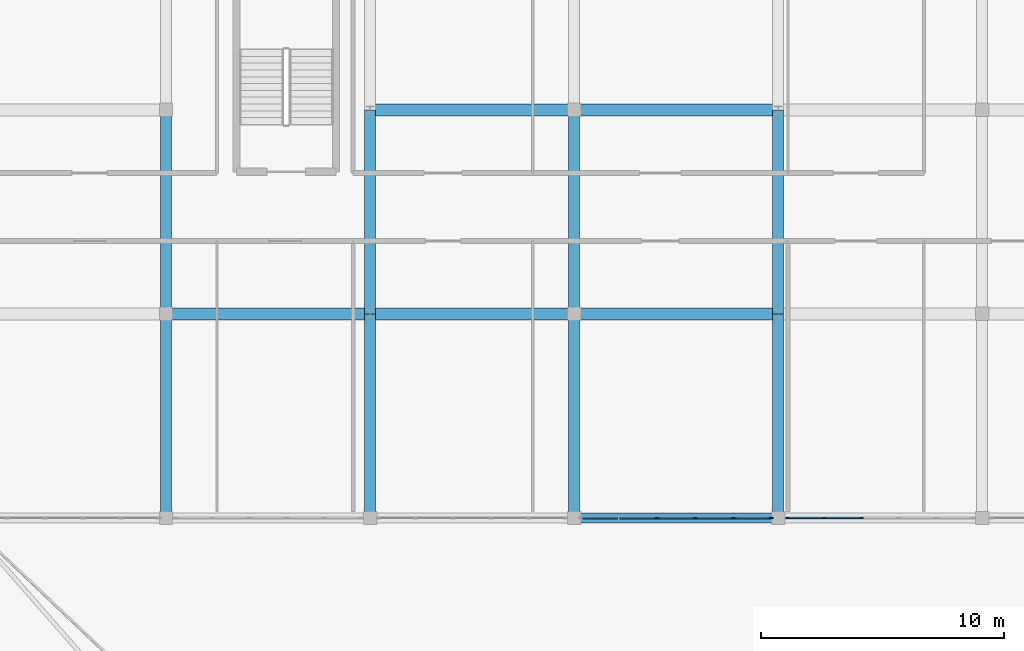
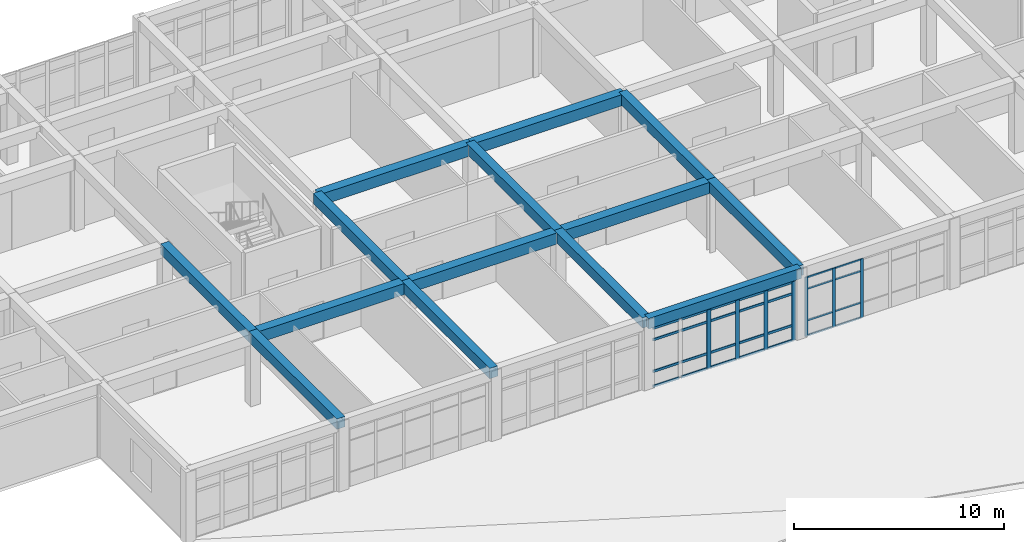
# One storey, part 16 of 77: 35 members, 14 beams, 2 elements without a shape of their own.
"""IFC4 building model written with IfcOpenShell, lengths in metres."""

from ifc_helpers import new_model, si_unit, direction, frame, origin, origin_2d, place, context, subcontext, project, spatial, rectangle, extrude, material, material_profile, profile_set, type_object, element, aggregate, save


model = new_model("IFC4")

# Units and contexts
model_context = context("Model", 3, precision=1e-05, world=origin(), true_north=direction((0.0, 1.0)))
body_context = subcontext(model_context, "Body", "Model", "MODEL_VIEW")
ifc_project = project(units=[si_unit("LENGTHUNIT", "METRE"), si_unit("AREAUNIT", "SQUARE_METRE"), si_unit("VOLUMEUNIT", "CUBIC_METRE"), si_unit("PLANEANGLEUNIT", "RADIAN"), si_unit("MASSUNIT", "GRAM", prefix="KILO")], contexts=[model_context])

# Site, building, storey
site_placement = place(None, origin())
site = spatial("IfcSite", under=ifc_project, at=site_placement, CompositionType="ELEMENT")
building_placement = place(site_placement, origin())
building = spatial("IfcBuilding", under=site, at=building_placement, Name="Varncliffe General Hospital", CompositionType="ELEMENT")
storey_placement = place(building_placement, frame((0.0, 0.0, 16.199951171875)))
storey = spatial("IfcBuildingStorey", under=building, at=storey_placement, Name="L03", CompositionType="ELEMENT", Elevation=16.199951171875)

# Beams
ifc_material_1 = material(Name="Concrete C35/45 (CSA A23.1 35 MPa)", Category="concrete")
ifc_material_profile_1 = material_profile(ifc_material_1, rectangle(XDim=0.5, YDim=0.64990234375, at=origin_2d()), Name="RC 500x650")
ifc_profile_set_1 = profile_set([ifc_material_profile_1], Name="Concrete C35/45 (CSA A23.1 35 MPa)")
beam_type_1 = type_object("IfcBeamType", Name="Beam B29 (Int RC 500x650)", PredefinedType="BEAM", material=ifc_profile_set_1)
beam_1_placement = place(storey_placement, frame((67.199951171875, 82.800048828125, 3.875), z_axis=(1.0, 0.0, 0.0), x_axis=(0.0, 1.0, 0.0)))
element("IfcBeam", 1, at=beam_1_placement, inside=storey, type_object=beam_type_1, Name="L03 Primary Beam B29-73", PredefinedType="BEAM", context=body_context, shape_type="SweptSolid", body=[
    extrude(rectangle(XDim=0.5, YDim=0.64990234375, at=origin_2d()), origin(), (0.0, 0.0, 1.0), 8.400146484375),
])
for number, where, z_axis, x_axis, name in (
    (2, (75.60009765625, 82.800048828125, 3.875), (1.0, 0.0, 0.0), (0.0, 1.0, 0.0), "L03 Primary Beam B29-74"),
    (3, (84.0, 82.800048828125, 3.875), (1.0, 0.0, 0.0), (0.0, 1.0, 0.0), "L03 Primary Beam B29-75"),
    (4, (75.60009765625, 91.199951171875, 3.875), (1.0, 0.0, 0.0), (0.0, 1.0, 0.0), "L03 Primary Beam B29-94"),
    (5, (84.0, 91.199951171875, 3.875), (1.0, 0.0, 0.0), (0.0, 1.0, 0.0), "L03 Primary Beam B29-95"),
):
    element("IfcBeam", number, at=place(storey_placement, frame(where, z_axis=z_axis, x_axis=x_axis)), inside=storey, type_object=beam_type_1, Name=name, PredefinedType="BEAM", context=body_context, shape_type="SweptSolid", body=[
        extrude(rectangle(XDim=0.5, YDim=0.64990234375, at=origin_2d()), origin(), (0.0, 0.0, 1.0), 8.39990234375),
    ])
ifc_material_profile_2 = material_profile(ifc_material_1, rectangle(XDim=0.449951171875, YDim=0.60009765625, at=origin_2d()), Name="RC 450x600")
ifc_profile_set_2 = profile_set([ifc_material_profile_2], Name="Concrete C35/45 (CSA A23.1 35 MPa)")
beam_type_2 = type_object("IfcBeamType", Name="Beam B47 (Int RC 450x600)", PredefinedType="BEAM", material=ifc_profile_set_2)
beam_2_placement = place(storey_placement, frame((67.199951171875, 74.39990234375, 3.900146484375), z_axis=(0.0, 1.0, 0.0), x_axis=(-1.0, 0.0, 0.0)))
element("IfcBeam", 6, at=beam_2_placement, inside=storey, type_object=beam_type_2, Name="L03 Primary Beam B47-290", PredefinedType="BEAM", context=body_context, shape_type="SweptSolid", body=[
    extrude(rectangle(XDim=0.449951171875, YDim=0.60009765625, at=origin_2d()), origin(), (0.0, 0.0, 1.0), 8.400146484375),
])
beam_3_placement = place(storey_placement, frame((67.199951171875, 82.800048828125, 3.900146484375), z_axis=(0.0, 1.0, 0.0), x_axis=(-1.0, 0.0, 0.0)))
element("IfcBeam", 7, at=beam_3_placement, inside=storey, type_object=beam_type_2, Name="L03 Primary Beam B47-291", PredefinedType="BEAM", context=body_context, shape_type="SweptSolid", body=[
    extrude(rectangle(XDim=0.449951171875, YDim=0.60009765625, at=origin_2d()), origin(), (0.0, 0.0, 1.0), 8.39990234375),
])
beam_4_placement = place(storey_placement, frame((75.60009765625, 74.39990234375, 3.900146484375), z_axis=(0.0, 1.0, 0.0), x_axis=(-1.0, 0.0, 0.0)))
element("IfcBeam", 8, at=beam_4_placement, inside=storey, type_object=beam_type_2, Name="L03 Primary Beam B47-298", PredefinedType="BEAM", context=body_context, shape_type="SweptSolid", body=[
    extrude(rectangle(XDim=0.449951171875, YDim=0.60009765625, at=origin_2d()), origin(), (0.0, 0.0, 1.0), 8.400146484375),
])
beam_5_placement = place(storey_placement, frame((75.60009765625, 82.800048828125, 3.900146484375), z_axis=(0.0, 1.0, 0.0), x_axis=(-1.0, 0.0, 0.0)))
element("IfcBeam", 9, at=beam_5_placement, inside=storey, type_object=beam_type_2, Name="L03 Primary Beam B47-299", PredefinedType="BEAM", context=body_context, shape_type="SweptSolid", body=[
    extrude(rectangle(XDim=0.449951171875, YDim=0.60009765625, at=origin_2d()), origin(), (0.0, 0.0, 1.0), 8.39990234375),
])
beam_6_placement = place(storey_placement, frame((84.0, 74.39990234375, 3.900146484375), z_axis=(0.0, 1.0, 0.0), x_axis=(-1.0, 0.0, 0.0)))
element("IfcBeam", 10, at=beam_6_placement, inside=storey, type_object=beam_type_2, Name="L03 Primary Beam B47-303", PredefinedType="BEAM", context=body_context, shape_type="SweptSolid", body=[
    extrude(rectangle(XDim=0.449951171875, YDim=0.60009765625, at=origin_2d()), origin(), (0.0, 0.0, 1.0), 8.400146484375),
])
beam_7_placement = place(storey_placement, frame((84.0, 82.800048828125, 3.900146484375), z_axis=(0.0, 1.0, 0.0), x_axis=(-1.0, 0.0, 0.0)))
element("IfcBeam", 11, at=beam_7_placement, inside=storey, type_object=beam_type_2, Name="L03 Primary Beam B47-304", PredefinedType="BEAM", context=body_context, shape_type="SweptSolid", body=[
    extrude(rectangle(XDim=0.449951171875, YDim=0.60009765625, at=origin_2d()), origin(), (0.0, 0.0, 1.0), 8.39990234375),
])
beam_8_placement = place(storey_placement, frame((92.39990234375, 74.39990234375, 3.900146484375), z_axis=(0.0, 1.0, 0.0), x_axis=(-1.0, 0.0, 0.0)))
element("IfcBeam", 12, at=beam_8_placement, inside=storey, type_object=beam_type_2, Name="L03 Primary Beam B47-308", PredefinedType="BEAM", context=body_context, shape_type="SweptSolid", body=[
    extrude(rectangle(XDim=0.449951171875, YDim=0.60009765625, at=origin_2d()), origin(), (0.0, 0.0, 1.0), 8.400146484375),
])
beam_9_placement = place(storey_placement, frame((92.39990234375, 82.800048828125, 3.900146484375), z_axis=(0.0, 1.0, 0.0), x_axis=(-1.0, 0.0, 0.0)))
element("IfcBeam", 13, at=beam_9_placement, inside=storey, type_object=beam_type_2, Name="L03 Primary Beam B47-309", PredefinedType="BEAM", context=body_context, shape_type="SweptSolid", body=[
    extrude(rectangle(XDim=0.449951171875, YDim=0.60009765625, at=origin_2d()), origin(), (0.0, 0.0, 1.0), 8.39990234375),
])

# Curtain wall, members
ifc_material_2 = material(Name="Triple low-E argon insulated vision glazing", Category="glass")
curtain_wall_type_1 = type_object("IfcCurtainWallType", Name="Unitised Glazed Curtain Wall CW37 (7694x3440)", PredefinedType="USERDEFINED", material=ifc_material_2)
curtain_wall_1_placement = place(storey_placement, origin())
curtain_wall_1 = element("IfcCurtainWall", 14, at=curtain_wall_1_placement, inside=storey, type_object=curtain_wall_type_1, Name="L03 Glazed Curtain Wall CW37-176", ObjectType="GLAZED CURTAIN WALL", PredefinedType="USERDEFINED")
ifc_material_3 = material(Name="Dark bronze thermally broken aluminium framing", Category="aluminium")
ifc_material_profile_3 = material_profile(ifc_material_3, rectangle(XDim=0.06494140625, YDim=0.159912109375, at=origin_2d()), Name="ALU 65x160")
ifc_profile_set_3 = profile_set([ifc_material_profile_3], Name="Dark bronze thermally broken aluminium framing")
member_type_1 = type_object("IfcMemberType", Name="Curtain Wall Mullion CM65 (ALU 65x160)", PredefinedType="MULLION", material=ifc_profile_set_3)
member_1_placement = place(storey_placement, frame((95.83056640625, 74.39990234375, 0.0), z_axis=(0.0, 0.0, 1.0), x_axis=(0.0, -1.0, 0.0)))
member_1 = element("IfcMember", 15, at=member_1_placement, type_object=member_type_1, Name="CW37 mullion 4", PredefinedType="MULLION", context=body_context, shape_type="SweptSolid", body=[
    extrude(rectangle(XDim=0.06494140625, YDim=0.159912109375, at=origin_2d()), origin(), (0.0, 0.0, 1.0), 3.43994140625),
])
member_2_placement = place(storey_placement, frame((94.291748046875, 74.39990234375, 0.0), z_axis=(0.0, 0.0, 1.0), x_axis=(0.0, -1.0, 0.0)))
member_2 = element("IfcMember", 16, at=member_2_placement, type_object=member_type_1, Name="CW37 mullion 5", PredefinedType="MULLION", context=body_context, shape_type="SweptSolid", body=[
    extrude(rectangle(XDim=0.06494140625, YDim=0.159912109375, at=origin_2d()), origin(), (0.0, 0.0, 1.0), 3.43994140625),
])
member_3_placement = place(storey_placement, frame((92.785400390625, 74.39990234375, 0.0), z_axis=(0.0, 0.0, 1.0), x_axis=(0.0, -1.0, 0.0)))
member_3 = element("IfcMember", 17, at=member_3_placement, type_object=member_type_1, Name="CW37 mullion 6", PredefinedType="MULLION", context=body_context, shape_type="SweptSolid", body=[
    extrude(rectangle(XDim=0.06494140625, YDim=0.159912109375, at=origin_2d()), origin(), (0.0, 0.0, 1.0), 3.43994140625),
])

curtain_wall_type_2 = type_object("IfcCurtainWallType", Name="Unitised Glazed Curtain Wall CW83 (7854x3440)", PredefinedType="USERDEFINED", material=ifc_material_2)
curtain_wall_2_placement = place(storey_placement, origin())
curtain_wall_2 = element("IfcCurtainWall", 18, at=curtain_wall_2_placement, inside=storey, type_object=curtain_wall_type_2, Name="L03 Glazed Curtain Wall CW83-177", ObjectType="GLAZED CURTAIN WALL", PredefinedType="USERDEFINED")
ifc_material_profile_4 = material_profile(ifc_material_3, rectangle(XDim=0.074951171875, YDim=0.219970703125, at=origin_2d()), Name="ALU 75x220")
ifc_profile_set_4 = profile_set([ifc_material_profile_4], Name="Dark bronze thermally broken aluminium framing")
member_type_2 = type_object("IfcMemberType", Name="Curtain Wall Mullion CM74 (ALU 75x220)", PredefinedType="MULLION", material=ifc_profile_set_4)
member_4_placement = place(storey_placement, frame((92.089599609375, 74.39990234375, 0.0), z_axis=(0.0, 0.0, 1.0), x_axis=(0.0, -1.0, 0.0)))
member_4 = element("IfcMember", 19, at=member_4_placement, type_object=member_type_2, Name="CW83 mullion 1", PredefinedType="MULLION", context=body_context, shape_type="SweptSolid", body=[
    extrude(rectangle(XDim=0.074951171875, YDim=0.219970703125, at=origin_2d()), origin(), (0.0, 0.0, 1.0), 3.43994140625),
])
member_5_placement = place(storey_placement, frame((90.55615234375, 74.39990234375, 0.0), z_axis=(0.0, 0.0, 1.0), x_axis=(0.0, -1.0, 0.0)))
member_5 = element("IfcMember", 20, at=member_5_placement, type_object=member_type_2, Name="CW83 mullion 2", PredefinedType="MULLION", context=body_context, shape_type="SweptSolid", body=[
    extrude(rectangle(XDim=0.074951171875, YDim=0.219970703125, at=origin_2d()), origin(), (0.0, 0.0, 1.0), 3.43994140625),
])
member_6_placement = place(storey_placement, frame((88.9853515625, 74.39990234375, 0.0), z_axis=(0.0, 0.0, 1.0), x_axis=(0.0, -1.0, 0.0)))
member_6 = element("IfcMember", 21, at=member_6_placement, type_object=member_type_2, Name="CW83 mullion 3", PredefinedType="MULLION", context=body_context, shape_type="SweptSolid", body=[
    extrude(rectangle(XDim=0.074951171875, YDim=0.219970703125, at=origin_2d()), origin(), (0.0, 0.0, 1.0), 3.43994140625),
])
member_7_placement = place(storey_placement, frame((87.41455078125, 74.39990234375, 0.0), z_axis=(0.0, 0.0, 1.0), x_axis=(0.0, -1.0, 0.0)))
member_7 = element("IfcMember", 22, at=member_7_placement, type_object=member_type_2, Name="CW83 mullion 4", PredefinedType="MULLION", context=body_context, shape_type="SweptSolid", body=[
    extrude(rectangle(XDim=0.074951171875, YDim=0.219970703125, at=origin_2d()), origin(), (0.0, 0.0, 1.0), 3.43994140625),
])

# Member
ifc_material_profile_5 = material_profile(ifc_material_3, rectangle(XDim=0.06005859375, YDim=0.10009765625, at=origin_2d()), Name="ALU 60x100")
ifc_profile_set_5 = profile_set([ifc_material_profile_5], Name="Dark bronze thermally broken aluminium framing")
member_type_3 = type_object("IfcMemberType", Name="Curtain Wall Transom CT18 (ALU 60x100)", PredefinedType="USERDEFINED", material=ifc_profile_set_5)
member_8_placement = place(storey_placement, frame((95.798095703125, 74.39990234375, 0.030029296875), z_axis=(-1.0, 0.0, 0.0), x_axis=(0.0, -1.0, 0.0)))
member_8 = element("IfcMember", 23, at=member_8_placement, type_object=member_type_3, Name="CW37 transom 4.1", ObjectType="TRANSOM", PredefinedType="USERDEFINED", context=body_context, shape_type="SweptSolid", body=[
    extrude(rectangle(XDim=0.06005859375, YDim=0.10009765625, at=origin_2d()), origin(), (0.0, 0.0, 1.0), 1.473876953125),
])

member_9_placement = place(storey_placement, frame((95.798095703125, 74.39990234375, 0.900146484375), z_axis=(-1.0, 0.0, 0.0), x_axis=(0.0, -1.0, 0.0)))
member_9 = element("IfcMember", 24, at=member_9_placement, type_object=member_type_3, Name="CW37 transom 4.2", ObjectType="TRANSOM", PredefinedType="USERDEFINED", context=body_context, shape_type="SweptSolid", body=[
    extrude(rectangle(XDim=0.06005859375, YDim=0.10009765625, at=origin_2d()), origin(), (0.0, 0.0, 1.0), 1.473876953125),
])

member_10_placement = place(storey_placement, frame((95.798095703125, 74.39990234375, 2.739990234375), z_axis=(-1.0, 0.0, 0.0), x_axis=(0.0, -1.0, 0.0)))
member_10 = element("IfcMember", 25, at=member_10_placement, type_object=member_type_3, Name="CW37 transom 4.3", ObjectType="TRANSOM", PredefinedType="USERDEFINED", context=body_context, shape_type="SweptSolid", body=[
    extrude(rectangle(XDim=0.06005859375, YDim=0.10009765625, at=origin_2d()), origin(), (0.0, 0.0, 1.0), 1.473876953125),
])

member_11_placement = place(storey_placement, frame((95.798095703125, 74.39990234375, 3.41015625), z_axis=(-1.0, 0.0, 0.0), x_axis=(0.0, -1.0, 0.0)))
member_11 = element("IfcMember", 26, at=member_11_placement, type_object=member_type_3, Name="CW37 transom 4.4", ObjectType="TRANSOM", PredefinedType="USERDEFINED", context=body_context, shape_type="SweptSolid", body=[
    extrude(rectangle(XDim=0.06005859375, YDim=0.10009765625, at=origin_2d()), origin(), (0.0, 0.0, 1.0), 1.473876953125),
])

member_12_placement = place(storey_placement, frame((94.25927734375, 74.39990234375, 0.030029296875), z_axis=(-1.0, 0.0, 0.0), x_axis=(0.0, -1.0, 0.0)))
member_12 = element("IfcMember", 27, at=member_12_placement, type_object=member_type_3, Name="CW37 transom 5.1", ObjectType="TRANSOM", PredefinedType="USERDEFINED", context=body_context, shape_type="SweptSolid", body=[
    extrude(rectangle(XDim=0.06005859375, YDim=0.10009765625, at=origin_2d()), origin(), (0.0, 0.0, 1.0), 1.441162109375),
])

member_13_placement = place(storey_placement, frame((94.25927734375, 74.39990234375, 0.900146484375), z_axis=(-1.0, 0.0, 0.0), x_axis=(0.0, -1.0, 0.0)))
member_13 = element("IfcMember", 28, at=member_13_placement, type_object=member_type_3, Name="CW37 transom 5.2", ObjectType="TRANSOM", PredefinedType="USERDEFINED", context=body_context, shape_type="SweptSolid", body=[
    extrude(rectangle(XDim=0.06005859375, YDim=0.10009765625, at=origin_2d()), origin(), (0.0, 0.0, 1.0), 1.441162109375),
])

member_14_placement = place(storey_placement, frame((94.25927734375, 74.39990234375, 2.739990234375), z_axis=(-1.0, 0.0, 0.0), x_axis=(0.0, -1.0, 0.0)))
member_14 = element("IfcMember", 29, at=member_14_placement, type_object=member_type_3, Name="CW37 transom 5.3", ObjectType="TRANSOM", PredefinedType="USERDEFINED", context=body_context, shape_type="SweptSolid", body=[
    extrude(rectangle(XDim=0.06005859375, YDim=0.10009765625, at=origin_2d()), origin(), (0.0, 0.0, 1.0), 1.441162109375),
])

member_15_placement = place(storey_placement, frame((94.25927734375, 74.39990234375, 3.41015625), z_axis=(-1.0, 0.0, 0.0), x_axis=(0.0, -1.0, 0.0)))
member_15 = element("IfcMember", 30, at=member_15_placement, type_object=member_type_3, Name="CW37 transom 5.4", ObjectType="TRANSOM", PredefinedType="USERDEFINED", context=body_context, shape_type="SweptSolid", body=[
    extrude(rectangle(XDim=0.06005859375, YDim=0.10009765625, at=origin_2d()), origin(), (0.0, 0.0, 1.0), 1.441162109375),
])

aggregate(curtain_wall_1, [member_1, member_2, member_3, member_8, member_9, member_10, member_11, member_12, member_13, member_14, member_15])

ifc_material_profile_6 = material_profile(ifc_material_3, rectangle(XDim=0.06494140625, YDim=0.139892578125, at=origin_2d()), Name="ALU 65x140")
ifc_profile_set_6 = profile_set([ifc_material_profile_6], Name="Dark bronze thermally broken aluminium framing")
member_type_4 = type_object("IfcMemberType", Name="Curtain Wall Transom CT69 (ALU 65x140)", PredefinedType="USERDEFINED", material=ifc_profile_set_6)
member_16_placement = place(storey_placement, frame((92.052001953125, 74.39990234375, 0.032470703125), z_axis=(-1.0, 0.0, 0.0), x_axis=(0.0, -1.0, 0.0)))
member_16 = element("IfcMember", 31, at=member_16_placement, type_object=member_type_4, Name="CW83 transom 1.1", ObjectType="TRANSOM", PredefinedType="USERDEFINED", context=body_context, shape_type="SweptSolid", body=[
    extrude(rectangle(XDim=0.06494140625, YDim=0.139892578125, at=origin_2d()), origin(), (0.0, 0.0, 1.0), 1.458251953125),
])

member_17_placement = place(storey_placement, frame((92.052001953125, 74.39990234375, 0.900146484375), z_axis=(-1.0, 0.0, 0.0), x_axis=(0.0, -1.0, 0.0)))
member_17 = element("IfcMember", 32, at=member_17_placement, type_object=member_type_4, Name="CW83 transom 1.2", ObjectType="TRANSOM", PredefinedType="USERDEFINED", context=body_context, shape_type="SweptSolid", body=[
    extrude(rectangle(XDim=0.06494140625, YDim=0.139892578125, at=origin_2d()), origin(), (0.0, 0.0, 1.0), 1.458251953125),
])

member_18_placement = place(storey_placement, frame((92.052001953125, 74.39990234375, 2.739990234375), z_axis=(-1.0, 0.0, 0.0), x_axis=(0.0, -1.0, 0.0)))
member_18 = element("IfcMember", 33, at=member_18_placement, type_object=member_type_4, Name="CW83 transom 1.3", ObjectType="TRANSOM", PredefinedType="USERDEFINED", context=body_context, shape_type="SweptSolid", body=[
    extrude(rectangle(XDim=0.06494140625, YDim=0.139892578125, at=origin_2d()), origin(), (0.0, 0.0, 1.0), 1.458251953125),
])

member_19_placement = place(storey_placement, frame((92.052001953125, 74.39990234375, 3.407470703125), z_axis=(-1.0, 0.0, 0.0), x_axis=(0.0, -1.0, 0.0)))
member_19 = element("IfcMember", 34, at=member_19_placement, type_object=member_type_4, Name="CW83 transom 1.4", ObjectType="TRANSOM", PredefinedType="USERDEFINED", context=body_context, shape_type="SweptSolid", body=[
    extrude(rectangle(XDim=0.06494140625, YDim=0.139892578125, at=origin_2d()), origin(), (0.0, 0.0, 1.0), 1.458251953125),
])

member_20_placement = place(storey_placement, frame((90.518798828125, 74.39990234375, 0.032470703125), z_axis=(-1.0, 0.0, 0.0), x_axis=(0.0, -1.0, 0.0)))
member_20 = element("IfcMember", 35, at=member_20_placement, type_object=member_type_4, Name="CW83 transom 2.1", ObjectType="TRANSOM", PredefinedType="USERDEFINED", context=body_context, shape_type="SweptSolid", body=[
    extrude(rectangle(XDim=0.06494140625, YDim=0.139892578125, at=origin_2d()), origin(), (0.0, 0.0, 1.0), 1.495849609375),
])

member_21_placement = place(storey_placement, frame((90.518798828125, 74.39990234375, 0.900146484375), z_axis=(-1.0, 0.0, 0.0), x_axis=(0.0, -1.0, 0.0)))
member_21 = element("IfcMember", 36, at=member_21_placement, type_object=member_type_4, Name="CW83 transom 2.2", ObjectType="TRANSOM", PredefinedType="USERDEFINED", context=body_context, shape_type="SweptSolid", body=[
    extrude(rectangle(XDim=0.06494140625, YDim=0.139892578125, at=origin_2d()), origin(), (0.0, 0.0, 1.0), 1.495849609375),
])

member_22_placement = place(storey_placement, frame((90.518798828125, 74.39990234375, 2.739990234375), z_axis=(-1.0, 0.0, 0.0), x_axis=(0.0, -1.0, 0.0)))
member_22 = element("IfcMember", 37, at=member_22_placement, type_object=member_type_4, Name="CW83 transom 2.3", ObjectType="TRANSOM", PredefinedType="USERDEFINED", context=body_context, shape_type="SweptSolid", body=[
    extrude(rectangle(XDim=0.06494140625, YDim=0.139892578125, at=origin_2d()), origin(), (0.0, 0.0, 1.0), 1.495849609375),
])

member_23_placement = place(storey_placement, frame((90.518798828125, 74.39990234375, 3.407470703125), z_axis=(-1.0, 0.0, 0.0), x_axis=(0.0, -1.0, 0.0)))
member_23 = element("IfcMember", 38, at=member_23_placement, type_object=member_type_4, Name="CW83 transom 2.4", ObjectType="TRANSOM", PredefinedType="USERDEFINED", context=body_context, shape_type="SweptSolid", body=[
    extrude(rectangle(XDim=0.06494140625, YDim=0.139892578125, at=origin_2d()), origin(), (0.0, 0.0, 1.0), 1.495849609375),
])

member_24_placement = place(storey_placement, frame((88.947998046875, 74.39990234375, 0.032470703125), z_axis=(-1.0, 0.0, 0.0), x_axis=(0.0, -1.0, 0.0)))
member_24 = element("IfcMember", 39, at=member_24_placement, type_object=member_type_4, Name="CW83 transom 3.1", ObjectType="TRANSOM", PredefinedType="USERDEFINED", context=body_context, shape_type="SweptSolid", body=[
    extrude(rectangle(XDim=0.06494140625, YDim=0.139892578125, at=origin_2d()), origin(), (0.0, 0.0, 1.0), 1.495849609375),
])

member_25_placement = place(storey_placement, frame((88.947998046875, 74.39990234375, 0.900146484375), z_axis=(-1.0, 0.0, 0.0), x_axis=(0.0, -1.0, 0.0)))
member_25 = element("IfcMember", 40, at=member_25_placement, type_object=member_type_4, Name="CW83 transom 3.2", ObjectType="TRANSOM", PredefinedType="USERDEFINED", context=body_context, shape_type="SweptSolid", body=[
    extrude(rectangle(XDim=0.06494140625, YDim=0.139892578125, at=origin_2d()), origin(), (0.0, 0.0, 1.0), 1.495849609375),
])

member_26_placement = place(storey_placement, frame((88.947998046875, 74.39990234375, 2.739990234375), z_axis=(-1.0, 0.0, 0.0), x_axis=(0.0, -1.0, 0.0)))
member_26 = element("IfcMember", 41, at=member_26_placement, type_object=member_type_4, Name="CW83 transom 3.3", ObjectType="TRANSOM", PredefinedType="USERDEFINED", context=body_context, shape_type="SweptSolid", body=[
    extrude(rectangle(XDim=0.06494140625, YDim=0.139892578125, at=origin_2d()), origin(), (0.0, 0.0, 1.0), 1.495849609375),
])

member_27_placement = place(storey_placement, frame((88.947998046875, 74.39990234375, 3.407470703125), z_axis=(-1.0, 0.0, 0.0), x_axis=(0.0, -1.0, 0.0)))
member_27 = element("IfcMember", 42, at=member_27_placement, type_object=member_type_4, Name="CW83 transom 3.4", ObjectType="TRANSOM", PredefinedType="USERDEFINED", context=body_context, shape_type="SweptSolid", body=[
    extrude(rectangle(XDim=0.06494140625, YDim=0.139892578125, at=origin_2d()), origin(), (0.0, 0.0, 1.0), 1.495849609375),
])

member_28_placement = place(storey_placement, frame((87.377197265625, 74.39990234375, 0.032470703125), z_axis=(-1.0, 0.0, 0.0), x_axis=(0.0, -1.0, 0.0)))
member_28 = element("IfcMember", 43, at=member_28_placement, type_object=member_type_4, Name="CW83 transom 4.1", ObjectType="TRANSOM", PredefinedType="USERDEFINED", context=body_context, shape_type="SweptSolid", body=[
    extrude(rectangle(XDim=0.06494140625, YDim=0.139892578125, at=origin_2d()), origin(), (0.0, 0.0, 1.0), 1.495849609375),
])

member_29_placement = place(storey_placement, frame((87.377197265625, 74.39990234375, 0.900146484375), z_axis=(-1.0, 0.0, 0.0), x_axis=(0.0, -1.0, 0.0)))
member_29 = element("IfcMember", 44, at=member_29_placement, type_object=member_type_4, Name="CW83 transom 4.2", ObjectType="TRANSOM", PredefinedType="USERDEFINED", context=body_context, shape_type="SweptSolid", body=[
    extrude(rectangle(XDim=0.06494140625, YDim=0.139892578125, at=origin_2d()), origin(), (0.0, 0.0, 1.0), 1.495849609375),
])

member_30_placement = place(storey_placement, frame((87.377197265625, 74.39990234375, 2.739990234375), z_axis=(-1.0, 0.0, 0.0), x_axis=(0.0, -1.0, 0.0)))
member_30 = element("IfcMember", 45, at=member_30_placement, type_object=member_type_4, Name="CW83 transom 4.3", ObjectType="TRANSOM", PredefinedType="USERDEFINED", context=body_context, shape_type="SweptSolid", body=[
    extrude(rectangle(XDim=0.06494140625, YDim=0.139892578125, at=origin_2d()), origin(), (0.0, 0.0, 1.0), 1.495849609375),
])

member_31_placement = place(storey_placement, frame((87.377197265625, 74.39990234375, 3.407470703125), z_axis=(-1.0, 0.0, 0.0), x_axis=(0.0, -1.0, 0.0)))
member_31 = element("IfcMember", 46, at=member_31_placement, type_object=member_type_4, Name="CW83 transom 4.4", ObjectType="TRANSOM", PredefinedType="USERDEFINED", context=body_context, shape_type="SweptSolid", body=[
    extrude(rectangle(XDim=0.06494140625, YDim=0.139892578125, at=origin_2d()), origin(), (0.0, 0.0, 1.0), 1.495849609375),
])

member_32_placement = place(storey_placement, frame((85.806396484375, 74.39990234375, 0.032470703125), z_axis=(-1.0, 0.0, 0.0), x_axis=(0.0, -1.0, 0.0)))
member_32 = element("IfcMember", 47, at=member_32_placement, type_object=member_type_4, Name="CW83 transom 5.1", ObjectType="TRANSOM", PredefinedType="USERDEFINED", context=body_context, shape_type="SweptSolid", body=[
    extrude(rectangle(XDim=0.06494140625, YDim=0.139892578125, at=origin_2d()), origin(), (0.0, 0.0, 1.0), 1.45849609375),
])

member_33_placement = place(storey_placement, frame((85.806396484375, 74.39990234375, 0.900146484375), z_axis=(-1.0, 0.0, 0.0), x_axis=(0.0, -1.0, 0.0)))
member_33 = element("IfcMember", 48, at=member_33_placement, type_object=member_type_4, Name="CW83 transom 5.2", ObjectType="TRANSOM", PredefinedType="USERDEFINED", context=body_context, shape_type="SweptSolid", body=[
    extrude(rectangle(XDim=0.06494140625, YDim=0.139892578125, at=origin_2d()), origin(), (0.0, 0.0, 1.0), 1.45849609375),
])

member_34_placement = place(storey_placement, frame((85.806396484375, 74.39990234375, 2.739990234375), z_axis=(-1.0, 0.0, 0.0), x_axis=(0.0, -1.0, 0.0)))
member_34 = element("IfcMember", 49, at=member_34_placement, type_object=member_type_4, Name="CW83 transom 5.3", ObjectType="TRANSOM", PredefinedType="USERDEFINED", context=body_context, shape_type="SweptSolid", body=[
    extrude(rectangle(XDim=0.06494140625, YDim=0.139892578125, at=origin_2d()), origin(), (0.0, 0.0, 1.0), 1.45849609375),
])

member_35_placement = place(storey_placement, frame((85.806396484375, 74.39990234375, 3.407470703125), z_axis=(-1.0, 0.0, 0.0), x_axis=(0.0, -1.0, 0.0)))
member_35 = element("IfcMember", 50, at=member_35_placement, type_object=member_type_4, Name="CW83 transom 5.4", ObjectType="TRANSOM", PredefinedType="USERDEFINED", context=body_context, shape_type="SweptSolid", body=[
    extrude(rectangle(XDim=0.06494140625, YDim=0.139892578125, at=origin_2d()), origin(), (0.0, 0.0, 1.0), 1.45849609375),
])

aggregate(curtain_wall_2, [member_4, member_5, member_6, member_7, member_16, member_17, member_18, member_19, member_20, member_21, member_22, member_23, member_24, member_25, member_26, member_27, member_28, member_29, member_30, member_31, member_32, member_33, member_34, member_35])

# Beam
ifc_material_profile_7 = material_profile(ifc_material_1, rectangle(XDim=0.39990234375, YDim=0.60009765625, at=origin_2d()), Name="RC 400x600")
ifc_profile_set_7 = profile_set([ifc_material_profile_7], Name="Concrete C35/45 (CSA A23.1 35 MPa)")
beam_type_3 = type_object("IfcBeamType", Name="Spandrel SP58 (Ext RC 400x600B)", PredefinedType="SPANDREL", material=ifc_profile_set_7)
beam_10_placement = place(storey_placement, frame((84.0, 74.39990234375, 3.900146484375), z_axis=(1.0, 0.0, 0.0), x_axis=(0.0, 1.0, 0.0)))
element("IfcBeam", 51, at=beam_10_placement, inside=storey, type_object=beam_type_3, Name="L03 Spandrel Beam SP58-58", PredefinedType="SPANDREL", context=body_context, shape_type="SweptSolid", body=[
    extrude(rectangle(XDim=0.39990234375, YDim=0.60009765625, at=origin_2d()), origin(), (0.0, 0.0, 1.0), 8.39990234375),
])

save(model, "model.ifc")
